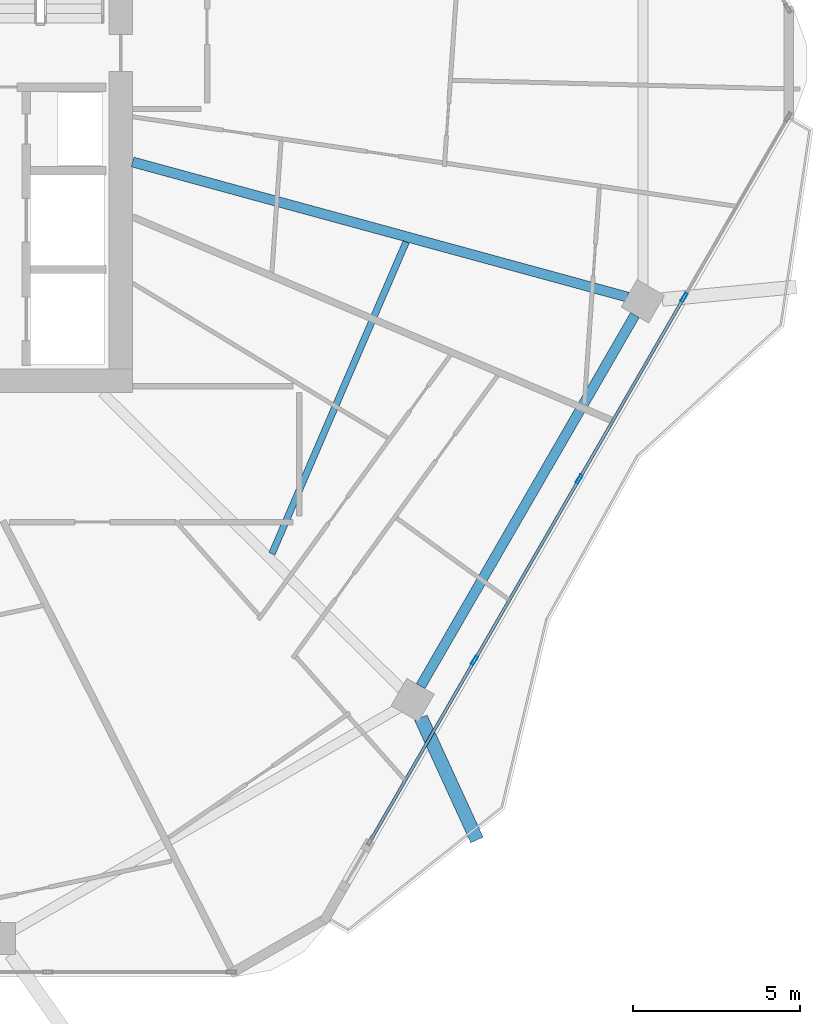
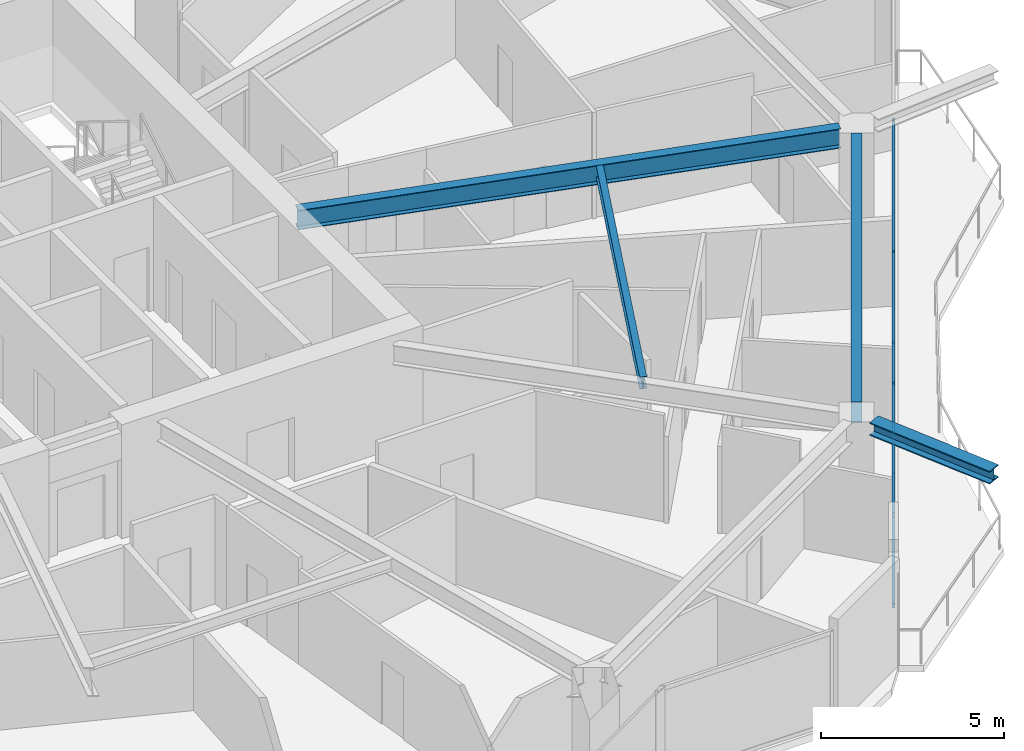
# One storey, part 8 of 27: 9 members, 4 beams, 1 element without a shape of its own.
"""IFC4 building model written with IfcOpenShell, lengths in metres."""

from ifc_helpers import new_model, si_unit, direction, frame, origin, origin_2d, place, context, subcontext, project, spatial, hollow_rectangle, i_section, extrude, material, material_profile, profile_set, type_object, element, aggregate, save


model = new_model("IFC4")

# Units and contexts
model_context = context("Model", 3, precision=1e-05, world=origin(), true_north=direction((0.0, 1.0)))
body_context = subcontext(model_context, "Body", "Model", "MODEL_VIEW")
ifc_project = project(units=[si_unit("LENGTHUNIT", "METRE"), si_unit("AREAUNIT", "SQUARE_METRE"), si_unit("VOLUMEUNIT", "CUBIC_METRE"), si_unit("PLANEANGLEUNIT", "RADIAN"), si_unit("MASSUNIT", "GRAM", prefix="KILO")], contexts=[model_context])

# Site, building, storey
site_placement = place(None, origin())
site = spatial("IfcSite", under=ifc_project, at=site_placement, CompositionType="ELEMENT")
building_placement = place(site_placement, origin())
building = spatial("IfcBuilding", under=site, at=building_placement, Name="Zuhravey Tower", CompositionType="ELEMENT")
storey_placement = place(building_placement, frame((0.0, 0.0, 188.39990234375)))
storey = spatial("IfcBuildingStorey", under=building, at=storey_placement, Name="L47", CompositionType="ELEMENT", Elevation=188.39990234375)

# Curtain wall, members
ifc_material_1 = material(Name="Thermally broken anodised aluminium", Category="aluminium")
curtain_wall_type = type_object("IfcCurtainWallType", Name="Zone 1-2 Residential Curtain Wall CW3", PredefinedType="NOTDEFINED", material=ifc_material_1)
curtain_wall_placement = place(storey_placement, origin())
curtain_wall = element("IfcCurtainWall", 1, at=curtain_wall_placement, inside=storey, type_object=curtain_wall_type, Name="L47 CW3 CW-L47-F6-1", PredefinedType="NOTDEFINED")
ifc_material_2 = material(Name="Anodised aluminium", Category="aluminium")
ifc_material_profile_1 = material_profile(ifc_material_2, hollow_rectangle(XDim=0.090087890625, YDim=0.284912109375, WallThickness=0.0048828125, at=origin_2d()), Name="ALU-RHS-90x285x5")
ifc_profile_set_1 = profile_set([ifc_material_profile_1], Name="Anodised aluminium")
member_type_1 = type_object("IfcMemberType", Name="Curtain-Wall Mullion 90x180", PredefinedType="MULLION", material=ifc_profile_set_1)
member_1_placement = place(storey_placement, frame((63.339111328125, 24.986572265625, 0.0), z_axis=(0.0, 0.0, 1.0), x_axis=(0.866025776429, -0.499999354559, 0.0)))
member_1 = element("IfcMember", 2, at=member_1_placement, type_object=member_type_1, Name="CW3 mullion 2", PredefinedType="MULLION", context=body_context, shape_type="SweptSolid", body=[
    extrude(hollow_rectangle(XDim=0.090087890625, YDim=0.284912109375, WallThickness=0.0048828125, at=origin_2d()), origin(), (0.0, 0.0, 1.0), 3.1220703125),
])
member_2_placement = place(storey_placement, frame((60.20654296875, 19.560791015625, 0.0), z_axis=(0.0, 0.0, 1.0), x_axis=(0.866025776429, -0.499999354559, 0.0)))
member_2 = element("IfcMember", 3, at=member_2_placement, type_object=member_type_1, Name="CW3 mullion 3", PredefinedType="MULLION", context=body_context, shape_type="SweptSolid", body=[
    extrude(hollow_rectangle(XDim=0.090087890625, YDim=0.284912109375, WallThickness=0.0048828125, at=origin_2d()), origin(), (0.0, 0.0, 1.0), 3.1220703125),
])
member_3_placement = place(storey_placement, frame((57.073974609375, 14.134765625, 0.0), z_axis=(0.0, 0.0, 1.0), x_axis=(0.866025776429, -0.499999354559, 0.0)))
member_3 = element("IfcMember", 4, at=member_3_placement, type_object=member_type_1, Name="CW3 mullion 4", PredefinedType="MULLION", context=body_context, shape_type="SweptSolid", body=[
    extrude(hollow_rectangle(XDim=0.090087890625, YDim=0.284912109375, WallThickness=0.0048828125, at=origin_2d()), origin(), (0.0, 0.0, 1.0), 3.1220703125),
])
ifc_material_profile_2 = material_profile(ifc_material_2, hollow_rectangle(XDim=0.090087890625, YDim=0.14990234375, WallThickness=0.0048828125, at=origin_2d()), Name="ALU-RHS-90x150x5")
ifc_profile_set_2 = profile_set([ifc_material_profile_2], Name="Anodised aluminium")
member_type_2 = type_object("IfcMemberType", Name="Curtain-Wall Transom 90x150", PredefinedType="USERDEFINED", material=ifc_profile_set_2)
member_4_placement = place(storey_placement, frame((63.316650390625, 24.94775390625, 0.045166015625), z_axis=(-0.499987102054, -0.866032850289, 0.0), x_axis=(0.866032850289, -0.499987102054, 0.0)))
member_4 = element("IfcMember", 5, at=member_4_placement, type_object=member_type_2, Name="CW3 transom 2.1", ObjectType="TRANSOM", PredefinedType="USERDEFINED", context=body_context, shape_type="SweptSolid", body=[
    extrude(hollow_rectangle(XDim=0.090087890625, YDim=0.14990234375, WallThickness=0.0048828125, at=origin_2d()), origin(), (0.0, 0.0, 1.0), 6.175537109375),
])
member_5_placement = place(storey_placement, frame((63.316650390625, 24.94775390625, 3.0771484375), z_axis=(-0.499987102054, -0.866032850289, 0.0), x_axis=(0.866032850289, -0.499987102054, 0.0)))
member_5 = element("IfcMember", 6, at=member_5_placement, type_object=member_type_2, Name="CW3 transom 2.2", ObjectType="TRANSOM", PredefinedType="USERDEFINED", context=body_context, shape_type="SweptSolid", body=[
    extrude(hollow_rectangle(XDim=0.090087890625, YDim=0.14990234375, WallThickness=0.0048828125, at=origin_2d()), origin(), (0.0, 0.0, 1.0), 6.175537109375),
])
member_6_placement = place(storey_placement, frame((60.18408203125, 19.521728515625, 0.045166015625), z_axis=(-0.500004220993, -0.866022966779, 0.0), x_axis=(0.866022966779, -0.500004220993, 0.0)))
member_6 = element("IfcMember", 7, at=member_6_placement, type_object=member_type_2, Name="CW3 transom 3.1", ObjectType="TRANSOM", PredefinedType="USERDEFINED", context=body_context, shape_type="SweptSolid", body=[
    extrude(hollow_rectangle(XDim=0.090087890625, YDim=0.14990234375, WallThickness=0.0048828125, at=origin_2d()), origin(), (0.0, 0.0, 1.0), 6.17529296875),
])
member_7_placement = place(storey_placement, frame((60.18408203125, 19.521728515625, 3.0771484375), z_axis=(-0.500004220993, -0.866022966779, 0.0), x_axis=(0.866022966779, -0.500004220993, 0.0)))
member_7 = element("IfcMember", 8, at=member_7_placement, type_object=member_type_2, Name="CW3 transom 3.2", ObjectType="TRANSOM", PredefinedType="USERDEFINED", context=body_context, shape_type="SweptSolid", body=[
    extrude(hollow_rectangle(XDim=0.090087890625, YDim=0.14990234375, WallThickness=0.0048828125, at=origin_2d()), origin(), (0.0, 0.0, 1.0), 6.17529296875),
])
member_8_placement = place(storey_placement, frame((57.051513671875, 14.095947265625, 0.045166015625), z_axis=(-0.499998239139, -0.866026420416, 0.0), x_axis=(0.866026420416, -0.499998239139, 0.0)))
member_8 = element("IfcMember", 9, at=member_8_placement, type_object=member_type_2, Name="CW3 transom 4.1", ObjectType="TRANSOM", PredefinedType="USERDEFINED", context=body_context, shape_type="SweptSolid", body=[
    extrude(hollow_rectangle(XDim=0.090087890625, YDim=0.14990234375, WallThickness=0.0048828125, at=origin_2d()), origin(), (0.0, 0.0, 1.0), 6.13037109375),
])
member_9_placement = place(storey_placement, frame((57.051513671875, 14.095947265625, 3.0771484375), z_axis=(-0.499998239139, -0.866026420416, 0.0), x_axis=(0.866026420416, -0.499998239139, 0.0)))
member_9 = element("IfcMember", 10, at=member_9_placement, type_object=member_type_2, Name="CW3 transom 4.2", ObjectType="TRANSOM", PredefinedType="USERDEFINED", context=body_context, shape_type="SweptSolid", body=[
    extrude(hollow_rectangle(XDim=0.090087890625, YDim=0.14990234375, WallThickness=0.0048828125, at=origin_2d()), origin(), (0.0, 0.0, 1.0), 6.13037109375),
])
aggregate(curtain_wall, [member_1, member_2, member_3, member_4, member_5, member_6, member_7, member_8, member_9])

# Beams
ifc_material_3 = material(Name="Steel SM460", Category="steel")
ifc_material_profile_3 = material_profile(ifc_material_3, i_section(OverallWidth=0.406982421875, OverallDepth=0.427978515625, WebThickness=0.02001953125, FlangeThickness=0.034912109375, at=origin_2d()), Name="H-428x407x20x35")
ifc_profile_set_3 = profile_set([ifc_material_profile_3], Name="Steel SM460")
beam_type_1 = type_object("IfcBeamType", Name="Exoskeleton Node Tie Beam H428x407", PredefinedType="BEAM", material=ifc_profile_set_3)
beam_1_placement = place(storey_placement, frame((55.47021484375, 12.420654296875, 3.336181640625), z_axis=(0.417281960524, -0.908777071355, 0.0), x_axis=(0.908777071355, 0.417281960524, 0.0)))
element("IfcBeam", 11, at=beam_1_placement, inside=storey, type_object=beam_type_1, Name="L47 Exoskeleton Node Tie NT1-11", PredefinedType="BEAM", context=body_context, shape_type="SweptSolid", body=[
    extrude(i_section(OverallWidth=0.406982421875, OverallDepth=0.427978515625, WebThickness=0.02001953125, FlangeThickness=0.034912109375, at=origin_2d()), origin(), (0.0, 0.0, 1.0), 4.02001953125),
])
ifc_material_4 = material(Name="Steel SM355", Category="steel")
ifc_material_profile_4 = material_profile(ifc_material_4, i_section(OverallWidth=0.300048828125, OverallDepth=0.679931640625, WebThickness=0.012939453125, FlangeThickness=0.02197265625, at=origin_2d()), Name="H-680x300x13x22")
ifc_profile_set_4 = profile_set([ifc_material_profile_4], Name="Steel SM355")
beam_type_2 = type_object("IfcBeamType", Name="Perimeter Ring Beam H680x300", PredefinedType="BEAM", material=ifc_profile_set_4)
beam_2_placement = place(storey_placement, frame((55.464599609375, 13.367431640625, 3.210205078125), z_axis=(0.500003505699, 0.866023379758, 0.0), x_axis=(-0.866023379758, 0.500003505699, 0.0)))
element("IfcBeam", 12, at=beam_2_placement, inside=storey, type_object=beam_type_2, Name="L47 PB2 BM-L47-PB-11", PredefinedType="BEAM", context=body_context, shape_type="SweptSolid", body=[
    extrude(i_section(OverallWidth=0.300048828125, OverallDepth=0.679931640625, WebThickness=0.012939453125, FlangeThickness=0.02197265625, at=origin_2d()), origin(), (0.0, 0.0, 1.0), 12.80810546875),
])
ifc_material_profile_5 = material_profile(ifc_material_4, i_section(OverallWidth=0.300048828125, OverallDepth=0.64990234375, WebThickness=0.012939453125, FlangeThickness=0.02197265625, at=origin_2d()), Name="H-650x300x13x22")
ifc_profile_set_5 = profile_set([ifc_material_profile_5], Name="Steel SM355")
beam_type_3 = type_object("IfcBeamType", Name="Radial Primary Girder H650x300", PredefinedType="BEAM", material=ifc_profile_set_5)
beam_3_placement = place(storey_placement, frame((46.85302734375, 29.03759765625, 3.22509765625), z_axis=(0.964701703464, -0.263345065139, 0.0), x_axis=(0.263345065139, 0.964701703464, 0.0)))
element("IfcBeam", 13, at=beam_3_placement, inside=storey, type_object=beam_type_3, Name="L47 RG2 BM-L47-RAD-12", PredefinedType="BEAM", context=body_context, shape_type="SweptSolid", body=[
    extrude(i_section(OverallWidth=0.300048828125, OverallDepth=0.64990234375, WebThickness=0.012939453125, FlangeThickness=0.02197265625, at=origin_2d()), origin(), (0.0, 0.0, 1.0), 15.334716796875),
])
ifc_material_profile_6 = material_profile(ifc_material_4, i_section(OverallWidth=0.199951171875, OverallDepth=0.39990234375, WebThickness=0.008056640625, FlangeThickness=0.012939453125, at=origin_2d()), Name="H-400x200x8x13")
ifc_profile_set_6 = profile_set([ifc_material_profile_6], Name="Steel SM355")
beam_type_4 = type_object("IfcBeamType", Name="Secondary Floor Joist H400x200", PredefinedType="JOIST", material=ifc_profile_set_6)
beam_4_placement = place(storey_placement, frame((51.017578125, 17.323974609375, 3.35009765625), z_axis=(0.395265853487, 0.918566766799, 0.0), x_axis=(-0.918566766799, 0.395265853487, 0.0)))
element("IfcBeam", 14, at=beam_4_placement, inside=storey, type_object=beam_type_4, Name="L47 SJ2 BM-L47-SJ-11-1", PredefinedType="JOIST", context=body_context, shape_type="SweptSolid", body=[
    extrude(i_section(OverallWidth=0.199951171875, OverallDepth=0.39990234375, WebThickness=0.008056640625, FlangeThickness=0.012939453125, at=origin_2d()), origin(), (0.0, 0.0, 1.0), 10.150146484375),
])

save(model, "model.ifc")
